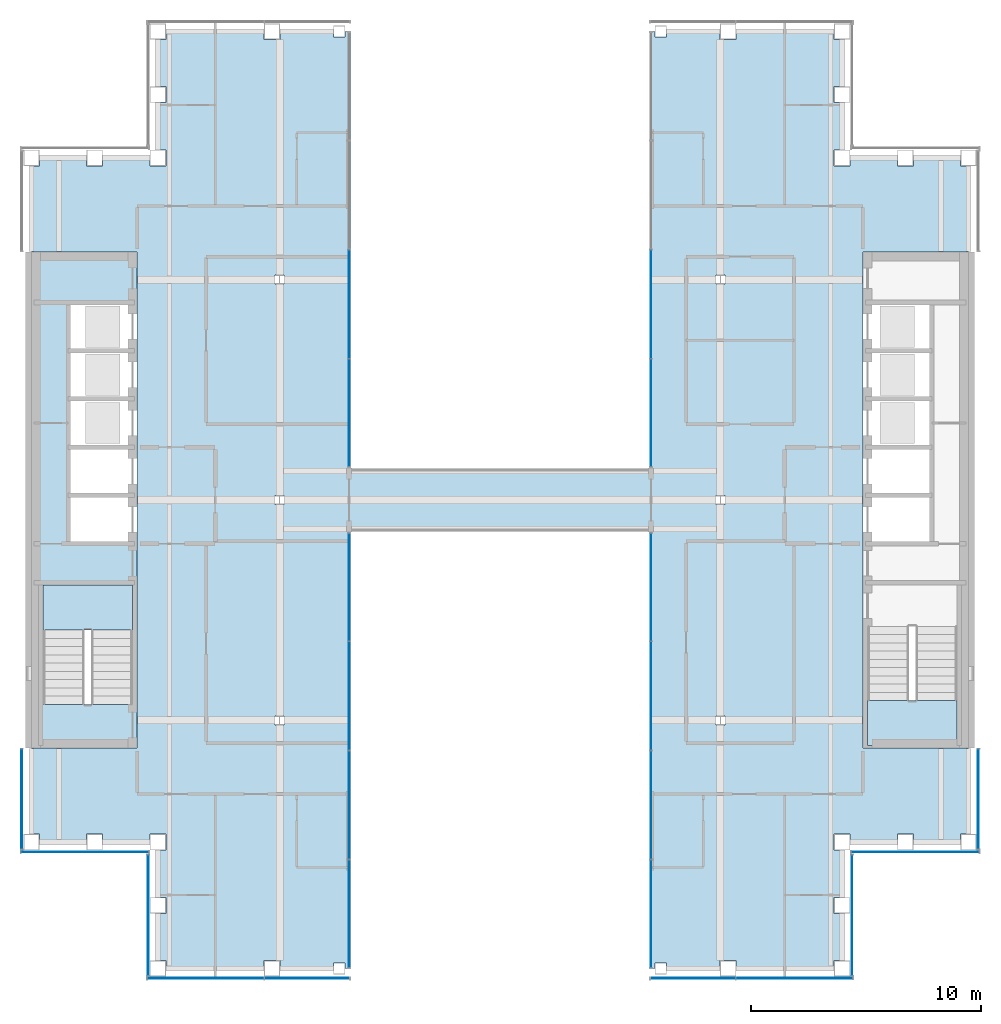
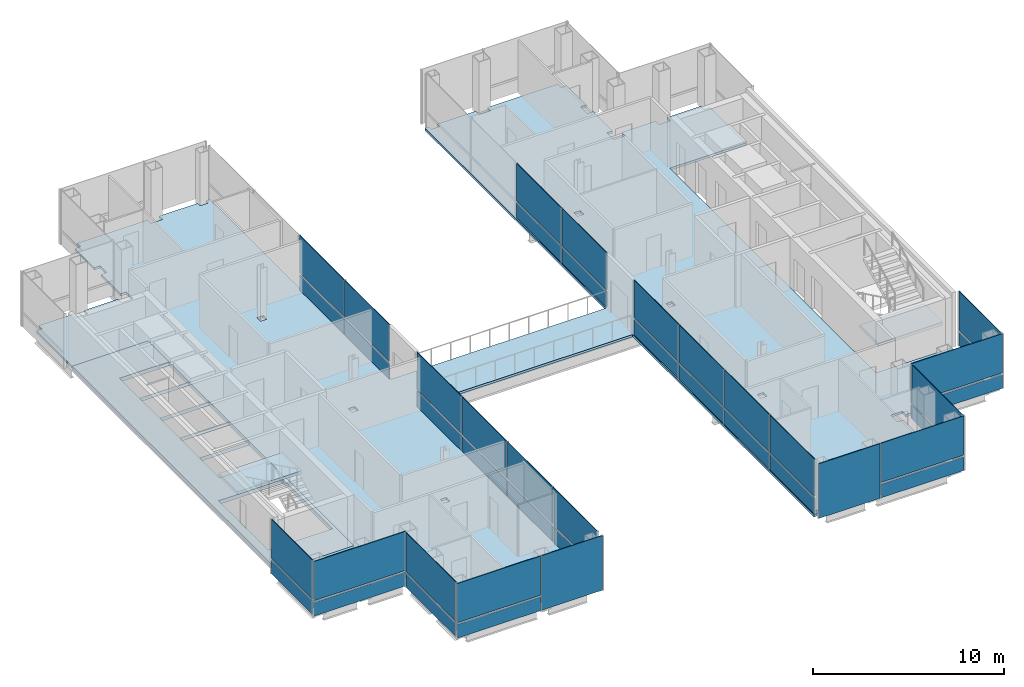
# One storey, part 9 of 15: 42 plates, 4 slabs, 14 elements without a shape of their own.
"""IFC4 building model written with IfcOpenShell, lengths in metres."""

from ifc_helpers import new_model, si_unit, direction, frame, origin, origin_2d, place, context, subcontext, project, spatial, polyline, rectangle, outline, extrude, material, layer, layer_set, type_object, element, aggregate, save


model = new_model("IFC4")

# Units and contexts
model_context = context("Model", 3, precision=1e-05, world=origin(), true_north=direction((0.0, 1.0)))
body_context = subcontext(model_context, "Body", "Model", "MODEL_VIEW")
ifc_project = project(units=[si_unit("LENGTHUNIT", "METRE"), si_unit("AREAUNIT", "SQUARE_METRE"), si_unit("VOLUMEUNIT", "CUBIC_METRE"), si_unit("PLANEANGLEUNIT", "RADIAN"), si_unit("MASSUNIT", "GRAM", prefix="KILO")], contexts=[model_context])

# Site, building, storey
site_placement = place(None, origin())
site = spatial("IfcSite", under=ifc_project, at=site_placement, CompositionType="ELEMENT")
building_placement = place(site_placement, origin())
building = spatial("IfcBuilding", under=site, at=building_placement, Name="Cobrizo Arcos Hotel Tower", CompositionType="ELEMENT")
storey_placement = place(building_placement, frame((0.0, 0.0, 222.5)))
storey = spatial("IfcBuildingStorey", under=building, at=storey_placement, Name="L58", CompositionType="ELEMENT", Elevation=222.5)

# Curtain wall, plate
ifc_material_1 = material(Name="Aluminium 6063-T6 anodised bronze", Category="aluminium")
curtain_wall_type_1 = type_object("IfcCurtainWallType", Name="CW-A guest facade", PredefinedType="NOTDEFINED", material=ifc_material_1)
curtain_wall_1_placement = place(storey_placement, origin())
curtain_wall_1 = element("IfcCurtainWall", 1, at=curtain_wall_1_placement, inside=storey, type_object=curtain_wall_type_1, Name="CW-A L58 S face", PredefinedType="NOTDEFINED")
ifc_material_2 = material(Name="Glass clear laminated low-e", Category="glass")
ifc_layer_1 = layer(ifc_material_2, 0.0400390625)
ifc_layer_set_1 = layer_set([ifc_layer_1], Name="CW-A glass panel")
plate_type_1 = type_object("IfcPlateType", Name="CW-A glass panel", PredefinedType="CURTAIN_PANEL", material=ifc_layer_set_1)
plate_1_placement = place(storey_placement, frame((-12.818359375, -20.824951171875, 0.990234375), z_axis=(0.0, 0.0, 1.0), x_axis=(1.0, 0.0, 0.0)))
plate_1 = element("IfcPlate", 2, at=plate_1_placement, type_object=plate_type_1, Name="CW-A glass panel 1908", PredefinedType="CURTAIN_PANEL", context=body_context, shape_type="SweptSolid", body=[
    extrude(rectangle(XDim=5.043212890625, YDim=0.0400390625, at=origin_2d()), origin(), (0.0, 0.0, 1.0), 2.510009765625),
])

curtain_wall_2_placement = place(storey_placement, origin())
curtain_wall_2 = element("IfcCurtainWall", 3, at=curtain_wall_2_placement, inside=storey, type_object=curtain_wall_type_1, Name="CW-A L58 S face", PredefinedType="NOTDEFINED")
plate_2_placement = place(storey_placement, frame((12.818359375, -20.824951171875, 0.990234375), z_axis=(0.0, 0.0, 1.0), x_axis=(1.0, 0.0, 0.0)))
plate_2 = element("IfcPlate", 4, at=plate_2_placement, type_object=plate_type_1, Name="CW-A glass panel 1911", PredefinedType="CURTAIN_PANEL", context=body_context, shape_type="SweptSolid", body=[
    extrude(rectangle(XDim=5.043212890625, YDim=0.0400390625, at=origin_2d()), origin(), (0.0, 0.0, 1.0), 2.510009765625),
])

curtain_wall_3_placement = place(storey_placement, origin())
curtain_wall_3 = element("IfcCurtainWall", 5, at=curtain_wall_3_placement, inside=storey, type_object=curtain_wall_type_1, Name="CW-A L58 E face", PredefinedType="NOTDEFINED")
plate_3_placement = place(storey_placement, frame((15.324951171875, -18.074951171875, 0.990234375), z_axis=(0.0, 0.0, 1.0), x_axis=(0.0, 1.0, 0.0)))
plate_3 = element("IfcPlate", 6, at=plate_3_placement, type_object=plate_type_1, Name="CW-A glass panel 1912", PredefinedType="CURTAIN_PANEL", context=body_context, shape_type="SweptSolid", body=[
    extrude(rectangle(XDim=5.22998046875, YDim=0.0400390625, at=origin_2d()), origin(), (0.0, 0.0, 1.0), 2.510009765625),
])

curtain_wall_4_placement = place(storey_placement, origin())
curtain_wall_4 = element("IfcCurtainWall", 7, at=curtain_wall_4_placement, inside=storey, type_object=curtain_wall_type_1, Name="CW-A L58 S face", PredefinedType="NOTDEFINED")
plate_4_placement = place(storey_placement, frame((18.074951171875, -15.324951171875, 0.990234375), z_axis=(0.0, 0.0, 1.0), x_axis=(1.0, 0.0, 0.0)))
plate_4 = element("IfcPlate", 8, at=plate_4_placement, type_object=plate_type_1, Name="CW-A glass panel 1913", PredefinedType="CURTAIN_PANEL", context=body_context, shape_type="SweptSolid", body=[
    extrude(rectangle(XDim=5.530029296875, YDim=0.0400390625, at=origin_2d()), origin(), (0.0, 0.0, 1.0), 2.510009765625),
])

curtain_wall_5_placement = place(storey_placement, origin())
curtain_wall_5 = element("IfcCurtainWall", 9, at=curtain_wall_5_placement, inside=storey, type_object=curtain_wall_type_1, Name="CW-A L58 E face", PredefinedType="NOTDEFINED")
plate_5_placement = place(storey_placement, frame((20.824951171875, -13.02490234375, 0.990234375), z_axis=(0.0, 0.0, 1.0), x_axis=(0.0, 1.0, 0.0)))
plate_5 = element("IfcPlate", 10, at=plate_5_placement, type_object=plate_type_1, Name="CW-A glass panel 1914", PredefinedType="CURTAIN_PANEL", context=body_context, shape_type="SweptSolid", body=[
    extrude(rectangle(XDim=4.330078125, YDim=0.0400390625, at=origin_2d()), origin(), (0.0, 0.0, 1.0), 2.510009765625),
])

curtain_wall_6_placement = place(storey_placement, origin())
curtain_wall_6 = element("IfcCurtainWall", 11, at=curtain_wall_6_placement, inside=storey, type_object=curtain_wall_type_1, Name="CW-A L58 W face", PredefinedType="NOTDEFINED")
plate_6_placement = place(storey_placement, frame((-20.824951171875, -13.02490234375, 0.990234375), z_axis=(0.0, 0.0, 1.0), x_axis=(0.0, -1.0, 0.0)))
plate_6 = element("IfcPlate", 12, at=plate_6_placement, type_object=plate_type_1, Name="CW-A glass panel 1925", PredefinedType="CURTAIN_PANEL", context=body_context, shape_type="SweptSolid", body=[
    extrude(rectangle(XDim=4.330078125, YDim=0.0400390625, at=origin_2d()), origin(), (0.0, 0.0, 1.0), 2.510009765625),
])

curtain_wall_7_placement = place(storey_placement, origin())
curtain_wall_7 = element("IfcCurtainWall", 13, at=curtain_wall_7_placement, inside=storey, type_object=curtain_wall_type_1, Name="CW-A L58 S face", PredefinedType="NOTDEFINED")
plate_7_placement = place(storey_placement, frame((-18.074951171875, -15.324951171875, 0.990234375), z_axis=(0.0, 0.0, 1.0), x_axis=(1.0, 0.0, 0.0)))
plate_7 = element("IfcPlate", 14, at=plate_7_placement, type_object=plate_type_1, Name="CW-A glass panel 1926", PredefinedType="CURTAIN_PANEL", context=body_context, shape_type="SweptSolid", body=[
    extrude(rectangle(XDim=5.530029296875, YDim=0.0400390625, at=origin_2d()), origin(), (0.0, 0.0, 1.0), 2.510009765625),
])

curtain_wall_8_placement = place(storey_placement, origin())
curtain_wall_8 = element("IfcCurtainWall", 15, at=curtain_wall_8_placement, inside=storey, type_object=curtain_wall_type_1, Name="CW-A L58 W face", PredefinedType="NOTDEFINED")
plate_8_placement = place(storey_placement, frame((-15.324951171875, -18.074951171875, 0.990234375), z_axis=(0.0, 0.0, 1.0), x_axis=(0.0, -1.0, 0.0)))
plate_8 = element("IfcPlate", 16, at=plate_8_placement, type_object=plate_type_1, Name="CW-A glass panel 1927", PredefinedType="CURTAIN_PANEL", context=body_context, shape_type="SweptSolid", body=[
    extrude(rectangle(XDim=5.22998046875, YDim=0.0400390625, at=origin_2d()), origin(), (0.0, 0.0, 1.0), 2.510009765625),
])

# Plate
ifc_material_3 = material(Name="Aluminium composite panel pale metal", Category="aluminium")
ifc_layer_2 = layer(ifc_material_3, 0.0400390625)
ifc_layer_set_2 = layer_set([ifc_layer_2], Name="CW-A spandrel panel")
plate_type_2 = type_object("IfcPlateType", Name="CW-A spandrel panel", PredefinedType="CURTAIN_PANEL", material=ifc_layer_set_2)
plate_9_placement = place(storey_placement, frame((-12.818359375, -20.824951171875, 0.0), z_axis=(0.0, 0.0, 1.0), x_axis=(1.0, 0.0, 0.0)))
plate_9 = element("IfcPlate", 17, at=plate_9_placement, type_object=plate_type_2, Name="CW-A spandrel panel 1908", PredefinedType="CURTAIN_PANEL", context=body_context, shape_type="SweptSolid", body=[
    extrude(rectangle(XDim=5.043212890625, YDim=0.0400390625, at=origin_2d()), origin(), (0.0, 0.0, 1.0), 0.8701171875),
])

plate_10_placement = place(storey_placement, frame((-8.3984375, -20.824951171875, 0.0), z_axis=(0.0, 0.0, 1.0), x_axis=(1.0, 0.0, 0.0)))
plate_10 = element("IfcPlate", 18, at=plate_10_placement, type_object=plate_type_2, Name="CW-A spandrel panel 1909", PredefinedType="CURTAIN_PANEL", context=body_context, shape_type="SweptSolid", body=[
    extrude(rectangle(XDim=3.6767578125, YDim=0.0400390625, at=origin_2d()), origin(), (0.0, 0.0, 1.0), 3.5),
])

aggregate(curtain_wall_1, [plate_9, plate_1, plate_10])

plate_11_placement = place(storey_placement, frame((8.3984375, -20.824951171875, 0.0), z_axis=(0.0, 0.0, 1.0), x_axis=(1.0, 0.0, 0.0)))
plate_11 = element("IfcPlate", 19, at=plate_11_placement, type_object=plate_type_2, Name="CW-A spandrel panel 1910", PredefinedType="CURTAIN_PANEL", context=body_context, shape_type="SweptSolid", body=[
    extrude(rectangle(XDim=3.6767578125, YDim=0.0400390625, at=origin_2d()), origin(), (0.0, 0.0, 1.0), 3.5),
])

plate_12_placement = place(storey_placement, frame((12.818359375, -20.824951171875, 0.0), z_axis=(0.0, 0.0, 1.0), x_axis=(1.0, 0.0, 0.0)))
plate_12 = element("IfcPlate", 20, at=plate_12_placement, type_object=plate_type_2, Name="CW-A spandrel panel 1911", PredefinedType="CURTAIN_PANEL", context=body_context, shape_type="SweptSolid", body=[
    extrude(rectangle(XDim=5.043212890625, YDim=0.0400390625, at=origin_2d()), origin(), (0.0, 0.0, 1.0), 0.8701171875),
])

aggregate(curtain_wall_2, [plate_11, plate_12, plate_2])

plate_13_placement = place(storey_placement, frame((15.324951171875, -18.074951171875, 0.0), z_axis=(0.0, 0.0, 1.0), x_axis=(0.0, 1.0, 0.0)))
plate_13 = element("IfcPlate", 21, at=plate_13_placement, type_object=plate_type_2, Name="CW-A spandrel panel 1912", PredefinedType="CURTAIN_PANEL", context=body_context, shape_type="SweptSolid", body=[
    extrude(rectangle(XDim=5.22998046875, YDim=0.0400390625, at=origin_2d()), origin(), (0.0, 0.0, 1.0), 0.8701171875),
])

aggregate(curtain_wall_3, [plate_13, plate_3])

plate_14_placement = place(storey_placement, frame((18.074951171875, -15.324951171875, 0.0), z_axis=(0.0, 0.0, 1.0), x_axis=(1.0, 0.0, 0.0)))
plate_14 = element("IfcPlate", 22, at=plate_14_placement, type_object=plate_type_2, Name="CW-A spandrel panel 1913", PredefinedType="CURTAIN_PANEL", context=body_context, shape_type="SweptSolid", body=[
    extrude(rectangle(XDim=5.530029296875, YDim=0.0400390625, at=origin_2d()), origin(), (0.0, 0.0, 1.0), 0.8701171875),
])

aggregate(curtain_wall_4, [plate_14, plate_4])

plate_15_placement = place(storey_placement, frame((20.824951171875, -13.02490234375, 0.0), z_axis=(0.0, 0.0, 1.0), x_axis=(0.0, 1.0, 0.0)))
plate_15 = element("IfcPlate", 23, at=plate_15_placement, type_object=plate_type_2, Name="CW-A spandrel panel 1914", PredefinedType="CURTAIN_PANEL", context=body_context, shape_type="SweptSolid", body=[
    extrude(rectangle(XDim=4.330078125, YDim=0.0400390625, at=origin_2d()), origin(), (0.0, 0.0, 1.0), 0.8701171875),
])

aggregate(curtain_wall_5, [plate_15, plate_5])

plate_16_placement = place(storey_placement, frame((-20.824951171875, -13.02490234375, 0.0), z_axis=(0.0, 0.0, 1.0), x_axis=(0.0, -1.0, 0.0)))
plate_16 = element("IfcPlate", 24, at=plate_16_placement, type_object=plate_type_2, Name="CW-A spandrel panel 1925", PredefinedType="CURTAIN_PANEL", context=body_context, shape_type="SweptSolid", body=[
    extrude(rectangle(XDim=4.330078125, YDim=0.0400390625, at=origin_2d()), origin(), (0.0, 0.0, 1.0), 0.8701171875),
])

aggregate(curtain_wall_6, [plate_16, plate_6])

plate_17_placement = place(storey_placement, frame((-18.074951171875, -15.324951171875, 0.0), z_axis=(0.0, 0.0, 1.0), x_axis=(1.0, 0.0, 0.0)))
plate_17 = element("IfcPlate", 25, at=plate_17_placement, type_object=plate_type_2, Name="CW-A spandrel panel 1926", PredefinedType="CURTAIN_PANEL", context=body_context, shape_type="SweptSolid", body=[
    extrude(rectangle(XDim=5.530029296875, YDim=0.0400390625, at=origin_2d()), origin(), (0.0, 0.0, 1.0), 0.8701171875),
])

aggregate(curtain_wall_7, [plate_17, plate_7])

plate_18_placement = place(storey_placement, frame((-15.324951171875, -18.074951171875, 0.0), z_axis=(0.0, 0.0, 1.0), x_axis=(0.0, -1.0, 0.0)))
plate_18 = element("IfcPlate", 26, at=plate_18_placement, type_object=plate_type_2, Name="CW-A spandrel panel 1927", PredefinedType="CURTAIN_PANEL", context=body_context, shape_type="SweptSolid", body=[
    extrude(rectangle(XDim=5.22998046875, YDim=0.0400390625, at=origin_2d()), origin(), (0.0, 0.0, 1.0), 0.8701171875),
])

aggregate(curtain_wall_8, [plate_18, plate_8])

# Curtain wall, plates
curtain_wall_type_2 = type_object("IfcCurtainWallType", Name="CW-F void screen", PredefinedType="NOTDEFINED", material=ifc_material_1)
curtain_wall_9_placement = place(storey_placement, origin())
curtain_wall_9 = element("IfcCurtainWall", 27, at=curtain_wall_9_placement, inside=storey, type_object=curtain_wall_type_2, Name="CW-F L58 void screen C", PredefinedType="NOTDEFINED")
ifc_layer_3 = layer(ifc_material_2, 0.0400390625)
ifc_layer_set_3 = layer_set([ifc_layer_3], Name="CW-F glass panel")
plate_type_3 = type_object("IfcPlateType", Name="CW-F glass panel", PredefinedType="CURTAIN_PANEL", material=ifc_layer_set_3)
plate_19_placement = place(storey_placement, frame((6.574951171875, -18.010009765625, 0.0), z_axis=(0.0, 0.0, 1.0), x_axis=(0.0, 1.0, 0.0)))
plate_19 = element("IfcPlate", 28, at=plate_19_placement, type_object=plate_type_3, Name="CW-F glass panel 2700", PredefinedType="CURTAIN_PANEL", context=body_context, shape_type="SweptSolid", body=[
    extrude(rectangle(XDim=4.659912109375, YDim=0.0400390625, at=origin_2d()), origin(), (0.0, 0.0, 1.0), 0.989990234375),
])
plate_20_placement = place(storey_placement, frame((6.574951171875, -18.010009765625, 1.10986328125), z_axis=(0.0, 0.0, 1.0), x_axis=(0.0, 1.0, 0.0)))
plate_20 = element("IfcPlate", 29, at=plate_20_placement, type_object=plate_type_3, Name="CW-F glass panel 2700", PredefinedType="CURTAIN_PANEL", context=body_context, shape_type="SweptSolid", body=[
    extrude(rectangle(XDim=4.659912109375, YDim=0.0400390625, at=origin_2d()), origin(), (0.0, 0.0, 1.0), 2.389892578125),
])
plate_21_placement = place(storey_placement, frame((6.574951171875, -13.27490234375, 0.0), z_axis=(0.0, 0.0, 1.0), x_axis=(0.0, 1.0, 0.0)))
plate_21 = element("IfcPlate", 30, at=plate_21_placement, type_object=plate_type_3, Name="CW-F glass panel 2701", PredefinedType="CURTAIN_PANEL", context=body_context, shape_type="SweptSolid", body=[
    extrude(rectangle(XDim=4.68994140625, YDim=0.0400390625, at=origin_2d()), origin(), (0.0, 0.0, 1.0), 0.989990234375),
])
plate_22_placement = place(storey_placement, frame((6.574951171875, -13.27490234375, 1.10986328125), z_axis=(0.0, 0.0, 1.0), x_axis=(0.0, 1.0, 0.0)))
plate_22 = element("IfcPlate", 31, at=plate_22_placement, type_object=plate_type_3, Name="CW-F glass panel 2701", PredefinedType="CURTAIN_PANEL", context=body_context, shape_type="SweptSolid", body=[
    extrude(rectangle(XDim=4.68994140625, YDim=0.0400390625, at=origin_2d()), origin(), (0.0, 0.0, 1.0), 2.389892578125),
])
plate_23_placement = place(storey_placement, frame((6.574951171875, -8.52490234375, 0.0), z_axis=(0.0, 0.0, 1.0), x_axis=(0.0, 1.0, 0.0)))
plate_23 = element("IfcPlate", 32, at=plate_23_placement, type_object=plate_type_3, Name="CW-F glass panel 2702", PredefinedType="CURTAIN_PANEL", context=body_context, shape_type="SweptSolid", body=[
    extrude(rectangle(XDim=4.68994140625, YDim=0.0400390625, at=origin_2d()), origin(), (0.0, 0.0, 1.0), 0.989990234375),
])
plate_24_placement = place(storey_placement, frame((6.574951171875, -8.52490234375, 1.10986328125), z_axis=(0.0, 0.0, 1.0), x_axis=(0.0, 1.0, 0.0)))
plate_24 = element("IfcPlate", 33, at=plate_24_placement, type_object=plate_type_3, Name="CW-F glass panel 2702", PredefinedType="CURTAIN_PANEL", context=body_context, shape_type="SweptSolid", body=[
    extrude(rectangle(XDim=4.68994140625, YDim=0.0400390625, at=origin_2d()), origin(), (0.0, 0.0, 1.0), 2.389892578125),
])
plate_25_placement = place(storey_placement, frame((6.574951171875, -3.7900390625, 0.0), z_axis=(0.0, 0.0, 1.0), x_axis=(0.0, 1.0, 0.0)))
plate_25 = element("IfcPlate", 34, at=plate_25_placement, type_object=plate_type_3, Name="CW-F glass panel 2703", PredefinedType="CURTAIN_PANEL", context=body_context, shape_type="SweptSolid", body=[
    extrude(rectangle(XDim=4.659912109375, YDim=0.0400390625, at=origin_2d()), origin(), (0.0, 0.0, 1.0), 0.989990234375),
])
plate_26_placement = place(storey_placement, frame((6.574951171875, -3.7900390625, 1.10986328125), z_axis=(0.0, 0.0, 1.0), x_axis=(0.0, 1.0, 0.0)))
plate_26 = element("IfcPlate", 35, at=plate_26_placement, type_object=plate_type_3, Name="CW-F glass panel 2703", PredefinedType="CURTAIN_PANEL", context=body_context, shape_type="SweptSolid", body=[
    extrude(rectangle(XDim=4.659912109375, YDim=0.0400390625, at=origin_2d()), origin(), (0.0, 0.0, 1.0), 2.389892578125),
])
aggregate(curtain_wall_9, [plate_19, plate_20, plate_21, plate_22, plate_23, plate_24, plate_25, plate_26])

curtain_wall_10_placement = place(storey_placement, origin())
curtain_wall_10 = element("IfcCurtainWall", 36, at=curtain_wall_10_placement, inside=storey, type_object=curtain_wall_type_2, Name="CW-F L58 void screen C", PredefinedType="NOTDEFINED")
plate_27_placement = place(storey_placement, frame((6.574951171875, 3.7900390625, 0.0), z_axis=(0.0, 0.0, 1.0), x_axis=(0.0, 1.0, 0.0)))
plate_27 = element("IfcPlate", 37, at=plate_27_placement, type_object=plate_type_3, Name="CW-F glass panel 2704", PredefinedType="CURTAIN_PANEL", context=body_context, shape_type="SweptSolid", body=[
    extrude(rectangle(XDim=4.659912109375, YDim=0.0400390625, at=origin_2d()), origin(), (0.0, 0.0, 1.0), 0.989990234375),
])
plate_28_placement = place(storey_placement, frame((6.574951171875, 3.7900390625, 1.10986328125), z_axis=(0.0, 0.0, 1.0), x_axis=(0.0, 1.0, 0.0)))
plate_28 = element("IfcPlate", 38, at=plate_28_placement, type_object=plate_type_3, Name="CW-F glass panel 2704", PredefinedType="CURTAIN_PANEL", context=body_context, shape_type="SweptSolid", body=[
    extrude(rectangle(XDim=4.659912109375, YDim=0.0400390625, at=origin_2d()), origin(), (0.0, 0.0, 1.0), 2.389892578125),
])
plate_29_placement = place(storey_placement, frame((6.574951171875, 8.52490234375, 0.0), z_axis=(0.0, 0.0, 1.0), x_axis=(0.0, 1.0, 0.0)))
plate_29 = element("IfcPlate", 39, at=plate_29_placement, type_object=plate_type_3, Name="CW-F glass panel 2705", PredefinedType="CURTAIN_PANEL", context=body_context, shape_type="SweptSolid", body=[
    extrude(rectangle(XDim=4.68994140625, YDim=0.0400390625, at=origin_2d()), origin(), (0.0, 0.0, 1.0), 0.989990234375),
])
plate_30_placement = place(storey_placement, frame((6.574951171875, 8.52490234375, 1.10986328125), z_axis=(0.0, 0.0, 1.0), x_axis=(0.0, 1.0, 0.0)))
plate_30 = element("IfcPlate", 40, at=plate_30_placement, type_object=plate_type_3, Name="CW-F glass panel 2705", PredefinedType="CURTAIN_PANEL", context=body_context, shape_type="SweptSolid", body=[
    extrude(rectangle(XDim=4.68994140625, YDim=0.0400390625, at=origin_2d()), origin(), (0.0, 0.0, 1.0), 2.389892578125),
])
aggregate(curtain_wall_10, [plate_27, plate_28, plate_29, plate_30])

curtain_wall_11_placement = place(storey_placement, origin())
curtain_wall_11 = element("IfcCurtainWall", 41, at=curtain_wall_11_placement, inside=storey, type_object=curtain_wall_type_2, Name="CW-F L58 void screen C", PredefinedType="NOTDEFINED")
plate_31_placement = place(storey_placement, frame((-6.574951171875, 8.52490234375, 0.0), z_axis=(0.0, 0.0, 1.0), x_axis=(0.0, -1.0, 0.0)))
plate_31 = element("IfcPlate", 42, at=plate_31_placement, type_object=plate_type_3, Name="CW-F glass panel 2710", PredefinedType="CURTAIN_PANEL", context=body_context, shape_type="SweptSolid", body=[
    extrude(rectangle(XDim=4.68994140625, YDim=0.0400390625, at=origin_2d()), origin(), (0.0, 0.0, 1.0), 0.989990234375),
])
plate_32_placement = place(storey_placement, frame((-6.574951171875, 8.52490234375, 1.10986328125), z_axis=(0.0, 0.0, 1.0), x_axis=(0.0, -1.0, 0.0)))
plate_32 = element("IfcPlate", 43, at=plate_32_placement, type_object=plate_type_3, Name="CW-F glass panel 2710", PredefinedType="CURTAIN_PANEL", context=body_context, shape_type="SweptSolid", body=[
    extrude(rectangle(XDim=4.68994140625, YDim=0.0400390625, at=origin_2d()), origin(), (0.0, 0.0, 1.0), 2.389892578125),
])
plate_33_placement = place(storey_placement, frame((-6.574951171875, 3.7900390625, 0.0), z_axis=(0.0, 0.0, 1.0), x_axis=(0.0, -1.0, 0.0)))
plate_33 = element("IfcPlate", 44, at=plate_33_placement, type_object=plate_type_3, Name="CW-F glass panel 2711", PredefinedType="CURTAIN_PANEL", context=body_context, shape_type="SweptSolid", body=[
    extrude(rectangle(XDim=4.659912109375, YDim=0.0400390625, at=origin_2d()), origin(), (0.0, 0.0, 1.0), 0.989990234375),
])
plate_34_placement = place(storey_placement, frame((-6.574951171875, 3.7900390625, 1.10986328125), z_axis=(0.0, 0.0, 1.0), x_axis=(0.0, -1.0, 0.0)))
plate_34 = element("IfcPlate", 45, at=plate_34_placement, type_object=plate_type_3, Name="CW-F glass panel 2711", PredefinedType="CURTAIN_PANEL", context=body_context, shape_type="SweptSolid", body=[
    extrude(rectangle(XDim=4.659912109375, YDim=0.0400390625, at=origin_2d()), origin(), (0.0, 0.0, 1.0), 2.389892578125),
])
aggregate(curtain_wall_11, [plate_31, plate_32, plate_33, plate_34])

curtain_wall_12_placement = place(storey_placement, origin())
curtain_wall_12 = element("IfcCurtainWall", 46, at=curtain_wall_12_placement, inside=storey, type_object=curtain_wall_type_2, Name="CW-F L58 void screen C", PredefinedType="NOTDEFINED")
plate_35_placement = place(storey_placement, frame((-6.574951171875, -3.7900390625, 0.0), z_axis=(0.0, 0.0, 1.0), x_axis=(0.0, -1.0, 0.0)))
plate_35 = element("IfcPlate", 47, at=plate_35_placement, type_object=plate_type_3, Name="CW-F glass panel 2712", PredefinedType="CURTAIN_PANEL", context=body_context, shape_type="SweptSolid", body=[
    extrude(rectangle(XDim=4.659912109375, YDim=0.0400390625, at=origin_2d()), origin(), (0.0, 0.0, 1.0), 0.989990234375),
])
plate_36_placement = place(storey_placement, frame((-6.574951171875, -3.7900390625, 1.10986328125), z_axis=(0.0, 0.0, 1.0), x_axis=(0.0, -1.0, 0.0)))
plate_36 = element("IfcPlate", 48, at=plate_36_placement, type_object=plate_type_3, Name="CW-F glass panel 2712", PredefinedType="CURTAIN_PANEL", context=body_context, shape_type="SweptSolid", body=[
    extrude(rectangle(XDim=4.659912109375, YDim=0.0400390625, at=origin_2d()), origin(), (0.0, 0.0, 1.0), 2.389892578125),
])
plate_37_placement = place(storey_placement, frame((-6.574951171875, -8.52490234375, 0.0), z_axis=(0.0, 0.0, 1.0), x_axis=(0.0, -1.0, 0.0)))
plate_37 = element("IfcPlate", 49, at=plate_37_placement, type_object=plate_type_3, Name="CW-F glass panel 2713", PredefinedType="CURTAIN_PANEL", context=body_context, shape_type="SweptSolid", body=[
    extrude(rectangle(XDim=4.68994140625, YDim=0.0400390625, at=origin_2d()), origin(), (0.0, 0.0, 1.0), 0.989990234375),
])
plate_38_placement = place(storey_placement, frame((-6.574951171875, -8.52490234375, 1.10986328125), z_axis=(0.0, 0.0, 1.0), x_axis=(0.0, -1.0, 0.0)))
plate_38 = element("IfcPlate", 50, at=plate_38_placement, type_object=plate_type_3, Name="CW-F glass panel 2713", PredefinedType="CURTAIN_PANEL", context=body_context, shape_type="SweptSolid", body=[
    extrude(rectangle(XDim=4.68994140625, YDim=0.0400390625, at=origin_2d()), origin(), (0.0, 0.0, 1.0), 2.389892578125),
])
plate_39_placement = place(storey_placement, frame((-6.574951171875, -13.27490234375, 0.0), z_axis=(0.0, 0.0, 1.0), x_axis=(0.0, -1.0, 0.0)))
plate_39 = element("IfcPlate", 51, at=plate_39_placement, type_object=plate_type_3, Name="CW-F glass panel 2714", PredefinedType="CURTAIN_PANEL", context=body_context, shape_type="SweptSolid", body=[
    extrude(rectangle(XDim=4.68994140625, YDim=0.0400390625, at=origin_2d()), origin(), (0.0, 0.0, 1.0), 0.989990234375),
])
plate_40_placement = place(storey_placement, frame((-6.574951171875, -13.27490234375, 1.10986328125), z_axis=(0.0, 0.0, 1.0), x_axis=(0.0, -1.0, 0.0)))
plate_40 = element("IfcPlate", 52, at=plate_40_placement, type_object=plate_type_3, Name="CW-F glass panel 2714", PredefinedType="CURTAIN_PANEL", context=body_context, shape_type="SweptSolid", body=[
    extrude(rectangle(XDim=4.68994140625, YDim=0.0400390625, at=origin_2d()), origin(), (0.0, 0.0, 1.0), 2.389892578125),
])
plate_41_placement = place(storey_placement, frame((-6.574951171875, -18.010009765625, 0.0), z_axis=(0.0, 0.0, 1.0), x_axis=(0.0, -1.0, 0.0)))
plate_41 = element("IfcPlate", 53, at=plate_41_placement, type_object=plate_type_3, Name="CW-F glass panel 2715", PredefinedType="CURTAIN_PANEL", context=body_context, shape_type="SweptSolid", body=[
    extrude(rectangle(XDim=4.659912109375, YDim=0.0400390625, at=origin_2d()), origin(), (0.0, 0.0, 1.0), 0.989990234375),
])
plate_42_placement = place(storey_placement, frame((-6.574951171875, -18.010009765625, 1.10986328125), z_axis=(0.0, 0.0, 1.0), x_axis=(0.0, -1.0, 0.0)))
plate_42 = element("IfcPlate", 54, at=plate_42_placement, type_object=plate_type_3, Name="CW-F glass panel 2715", PredefinedType="CURTAIN_PANEL", context=body_context, shape_type="SweptSolid", body=[
    extrude(rectangle(XDim=4.659912109375, YDim=0.0400390625, at=origin_2d()), origin(), (0.0, 0.0, 1.0), 2.389892578125),
])
aggregate(curtain_wall_12, [plate_35, plate_36, plate_37, plate_38, plate_39, plate_40, plate_41, plate_42])

# Slabs
ifc_material_4 = material(Name="Concrete f'c 35 MPa", Category="concrete")
ifc_layer_4 = layer(ifc_material_4, 0.14990234375)
ifc_layer_set_4 = layer_set([ifc_layer_4], Name="Composite floor slab 150 f'c 35")
slab_type_1 = type_object("IfcSlabType", Name="Composite floor slab 150 f'c 35", PredefinedType="FLOOR", material=ifc_layer_set_4)
slab_1_placement = place(storey_placement, frame((0.0, 0.0, -0.14990234375)))
element("IfcSlab", 55, at=slab_1_placement, inside=storey, type_object=slab_type_1, Name="Floor slab S5, L58, no. 01", PredefinedType="FLOOR", context=body_context, shape_type="SweptSolid", body=[
    extrude(outline(polyline([(17.300048828125, 14.89990234375), (17.300048828125, 14.550048828125), (18.0, 14.550048828125), (18.0, 14.89990234375), (20.050048828125, 14.89990234375), (20.050048828125, 14.550048828125), (20.39990234375, 14.550048828125), (20.39990234375, 10.800048828125), (15.800048828125, 10.800048828125), (15.800048828125, -10.800048828125), (20.39990234375, -10.800048828125), (20.39990234375, -14.550048828125), (20.050048828125, -14.550048828125), (20.050048828125, -14.89990234375), (18.0, -14.89990234375), (18.0, -14.550048828125), (17.300048828125, -14.550048828125), (17.300048828125, -14.89990234375), (15.25, -14.89990234375), (15.25, -14.550048828125), (14.550048828125, -14.550048828125), (14.550048828125, -15.25), (14.89990234375, -15.25), (14.89990234375, -17.300048828125), (14.550048828125, -17.300048828125), (14.550048828125, -18.0), (14.89990234375, -18.0), (14.89990234375, -20.050048828125), (14.550048828125, -20.050048828125), (14.550048828125, -20.39990234375), (10.282958984375, -20.39990234375), (10.282958984375, -20.050048828125), (9.5830078125, -20.050048828125), (9.5830078125, -20.39990234375), (7.25, -20.39990234375), (7.25, -20.14990234375), (6.75, -20.14990234375), (6.75, -20.39990234375), (6.5, -20.39990234375), (6.5, -1.39990234375), (-6.5, -1.39990234375), (-6.5, -20.39990234375), (-6.75, -20.39990234375), (-6.75, -20.14990234375), (-7.25, -20.14990234375), (-7.25, -20.39990234375), (-9.5830078125, -20.39990234375), (-9.5830078125, -20.050048828125), (-10.282958984375, -20.050048828125), (-10.282958984375, -20.39990234375), (-14.550048828125, -20.39990234375), (-14.550048828125, -20.050048828125), (-14.89990234375, -20.050048828125), (-14.89990234375, -18.0), (-14.550048828125, -18.0), (-14.550048828125, -17.300048828125), (-14.89990234375, -17.300048828125), (-14.89990234375, -15.25), (-14.550048828125, -15.25), (-14.550048828125, -14.550048828125), (-15.25, -14.550048828125), (-15.25, -14.89990234375), (-17.300048828125, -14.89990234375), (-17.300048828125, -14.550048828125), (-18.0, -14.550048828125), (-18.0, -14.89990234375), (-20.050048828125, -14.89990234375), (-20.050048828125, -14.550048828125), (-20.39990234375, -14.550048828125), (-20.39990234375, -10.800048828125), (-15.800048828125, -10.800048828125), (-15.800048828125, 10.800048828125), (-20.39990234375, 10.800048828125), (-20.39990234375, 14.550048828125), (-20.050048828125, 14.550048828125), (-20.050048828125, 14.89990234375), (-18.0, 14.89990234375), (-18.0, 14.550048828125), (-17.300048828125, 14.550048828125), (-17.300048828125, 14.89990234375), (-15.25, 14.89990234375), (-15.25, 14.550048828125), (-14.550048828125, 14.550048828125), (-14.550048828125, 15.25), (-14.89990234375, 15.25), (-14.89990234375, 17.300048828125), (-14.550048828125, 17.300048828125), (-14.550048828125, 18.0), (-14.89990234375, 18.0), (-14.89990234375, 20.050048828125), (-14.550048828125, 20.050048828125), (-14.550048828125, 20.39990234375), (-10.282958984375, 20.39990234375), (-10.282958984375, 20.050048828125), (-9.5830078125, 20.050048828125), (-9.5830078125, 20.39990234375), (-7.25, 20.39990234375), (-7.25, 20.14990234375), (-6.75, 20.14990234375), (-6.75, 20.39990234375), (-6.5, 20.39990234375), (-6.5, 1.39990234375), (6.5, 1.39990234375), (6.5, 20.39990234375), (6.75, 20.39990234375), (6.75, 20.14990234375), (7.25, 20.14990234375), (7.25, 20.39990234375), (9.5830078125, 20.39990234375), (9.5830078125, 20.050048828125), (10.282958984375, 20.050048828125), (10.282958984375, 20.39990234375), (14.550048828125, 20.39990234375), (14.550048828125, 20.050048828125), (14.89990234375, 20.050048828125), (14.89990234375, 18.0), (14.550048828125, 18.0), (14.550048828125, 17.300048828125), (14.89990234375, 17.300048828125), (14.89990234375, 15.25), (14.550048828125, 15.25), (14.550048828125, 14.550048828125), (15.25, 14.550048828125), (15.25, 14.89990234375), (17.300048828125, 14.89990234375)]), holes=[polyline([(-9.78662109375, -9.78662109375), (-9.413330078125, -9.78662109375), (-9.413330078125, -9.413330078125), (-9.78662109375, -9.413330078125), (-9.78662109375, -9.78662109375)]), polyline([(-9.413330078125, -0.186767578125), (-9.413330078125, 0.186767578125), (-9.78662109375, 0.186767578125), (-9.78662109375, -0.186767578125), (-9.413330078125, -0.186767578125)]), polyline([(-9.413330078125, 9.413330078125), (-9.413330078125, 9.78662109375), (-9.78662109375, 9.78662109375), (-9.78662109375, 9.413330078125), (-9.413330078125, 9.413330078125)]), polyline([(9.413330078125, -9.78662109375), (9.78662109375, -9.78662109375), (9.78662109375, -9.413330078125), (9.413330078125, -9.413330078125), (9.413330078125, -9.78662109375)]), polyline([(9.413330078125, -0.186767578125), (9.78662109375, -0.186767578125), (9.78662109375, 0.186767578125), (9.413330078125, 0.186767578125), (9.413330078125, -0.186767578125)]), polyline([(9.78662109375, 9.413330078125), (9.78662109375, 9.78662109375), (9.413330078125, 9.78662109375), (9.413330078125, 9.413330078125), (9.78662109375, 9.413330078125)])]), origin(), (0.0, 0.0, 1.0), 0.14990234375),
])
ifc_material_5 = material(Name="Concrete f'c 40 MPa", Category="concrete")
ifc_layer_5 = layer(ifc_material_5, 0.25)
ifc_layer_set_5 = layer_set([ifc_layer_5], Name="RC core floor slab 250 f'c 40")
slab_type_2 = type_object("IfcSlabType", Name="RC core floor slab 250 f'c 40", PredefinedType="FLOOR", material=ifc_layer_set_5)
slab_2_placement = place(storey_placement, frame((0.0, 0.0, -0.25)))
element("IfcSlab", 56, at=slab_2_placement, inside=storey, type_object=slab_type_2, Name="Core floor slab CS7, west core, L58", PredefinedType="FLOOR", context=body_context, shape_type="SweptSolid", body=[
    extrude(outline(polyline([(-20.39990234375, 10.800048828125), (-15.800048828125, 10.800048828125), (-15.800048828125, -10.800048828125), (-20.39990234375, -10.800048828125), (-20.39990234375, 10.800048828125)]), holes=[polyline([(-19.89794921875, -3.701904296875), (-19.89794921875, -8.89794921875), (-16.001953125, -8.89794921875), (-16.001953125, -3.701904296875), (-19.89794921875, -3.701904296875)]), polyline([(-18.798095703125, 0.197998046875), (-18.798095703125, -1.89794921875), (-15.802001953125, -1.89794921875), (-15.802001953125, 0.197998046875), (-18.798095703125, 0.197998046875)]), polyline([(-18.798095703125, 2.298095703125), (-18.798095703125, 0.201904296875), (-15.802001953125, 0.201904296875), (-15.802001953125, 2.298095703125), (-18.798095703125, 2.298095703125)]), polyline([(-18.798095703125, 4.39794921875), (-18.798095703125, 2.302001953125), (-15.802001953125, 2.302001953125), (-15.802001953125, 4.39794921875), (-18.798095703125, 4.39794921875)]), polyline([(-15.802001953125, 6.498046875), (-18.798095703125, 6.498046875), (-18.798095703125, 4.402099609375), (-15.802001953125, 4.402099609375), (-15.802001953125, 6.498046875)]), polyline([(-15.802001953125, 8.597900390625), (-18.798095703125, 8.597900390625), (-18.798095703125, 6.501953125), (-15.802001953125, 6.501953125), (-15.802001953125, 8.597900390625)])]), origin(), (0.0, 0.0, 1.0), 0.25),
])

# Stair, slab
stair_type = type_object("IfcStairType", Name="Exit stair", PredefinedType="HALF_TURN_STAIR", material=ifc_material_5)
stair_1_placement = place(storey_placement, origin())
stair_1 = element("IfcStair", 57, at=stair_1_placement, inside=storey, type_object=stair_type, Name="L58 Exit stair ST-W", PredefinedType="HALF_TURN_STAIR")
ifc_layer_6 = layer(ifc_material_5, 0.199951171875)
ifc_layer_set_6 = layer_set([ifc_layer_6], Name="Stair landing")
slab_type_3 = type_object("IfcSlabType", Name="Stair landing", PredefinedType="LANDING", material=ifc_layer_set_6)
slab_3_placement = place(storey_placement, frame((0.0, 0.0, 1.550048828125)))
slab_3 = element("IfcSlab", 58, at=slab_3_placement, type_object=slab_type_3, Name="ST-W landing 1", PredefinedType="LANDING", context=body_context, shape_type="SweptSolid", body=[
    extrude(outline(polyline([(-16.0, -5.659912109375), (-16.0, -3.699951171875), (-19.89990234375, -3.699951171875), (-19.89990234375, -5.659912109375), (-16.0, -5.659912109375)])), origin(), (0.0, 0.0, 1.0), 0.199951171875),
])
aggregate(stair_1, [slab_3])

stair_2_placement = place(storey_placement, origin())
stair_2 = element("IfcStair", 59, at=stair_2_placement, inside=storey, type_object=stair_type, Name="L58 Exit stair ST-E", PredefinedType="HALF_TURN_STAIR")
slab_4_placement = place(storey_placement, frame((0.0, 0.0, 1.550048828125)))
slab_4 = element("IfcSlab", 60, at=slab_4_placement, type_object=slab_type_3, Name="ST-E landing 1", PredefinedType="LANDING", context=body_context, shape_type="SweptSolid", body=[
    extrude(outline(polyline([(16.0, -8.739990234375), (16.0, -10.699951171875), (19.89990234375, -10.699951171875), (19.89990234375, -8.739990234375), (16.0, -8.739990234375)])), origin(), (0.0, 0.0, 1.0), 0.199951171875),
])
aggregate(stair_2, [slab_4])

save(model, "model.ifc")
